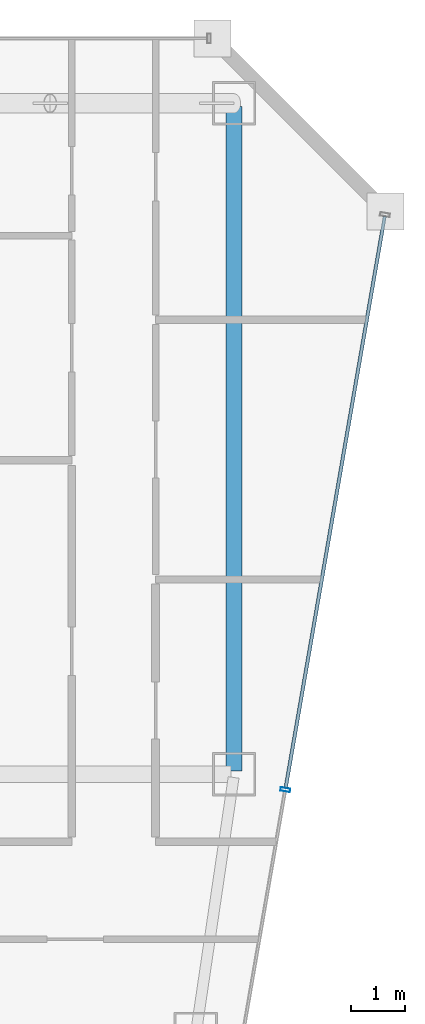
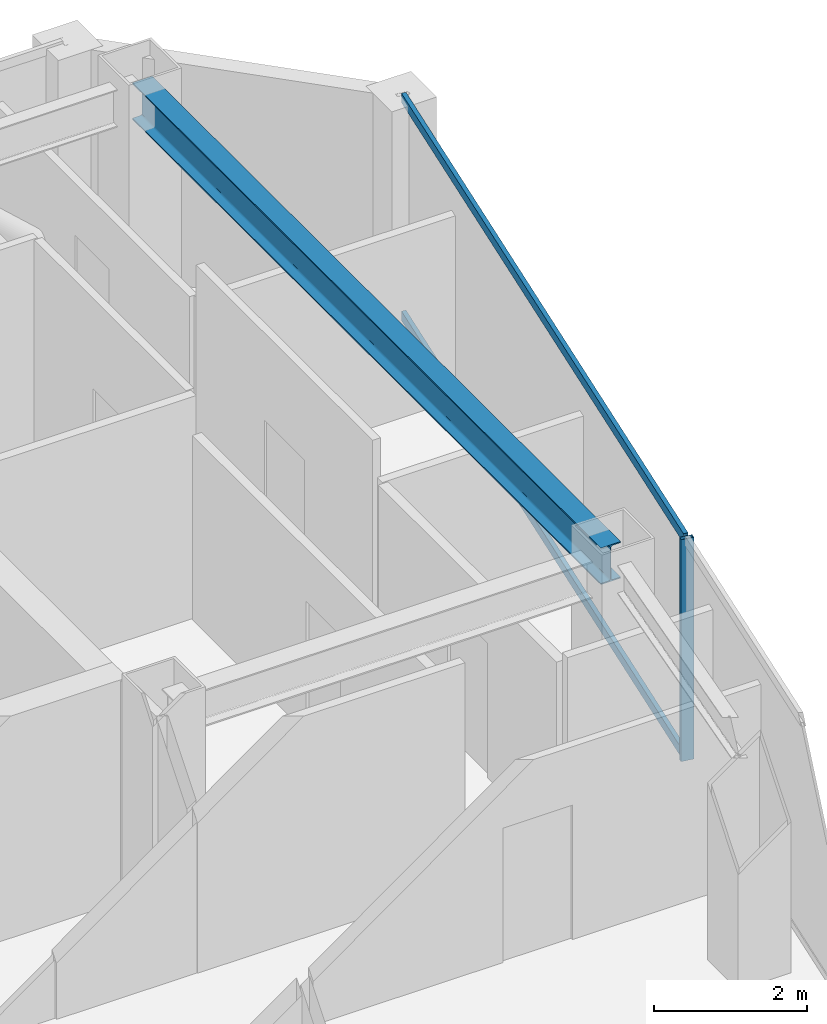
# One storey, part 18 of 32: 3 members, 1 beam, 1 element without a shape of its own.
"""IFC4 building model written with IfcOpenShell, lengths in metres."""

from ifc_helpers import new_model, si_unit, direction, frame, origin, origin_2d, place, context, subcontext, project, spatial, hollow_rectangle, i_section, extrude, material, material_profile, profile_set, type_object, element, aggregate, save


model = new_model("IFC4")

# Units and contexts
model_context = context("Model", 3, precision=1e-05, world=origin(), true_north=direction((0.0, 1.0)))
body_context = subcontext(model_context, "Body", "Model", "MODEL_VIEW")
ifc_project = project(units=[si_unit("LENGTHUNIT", "METRE"), si_unit("AREAUNIT", "SQUARE_METRE"), si_unit("VOLUMEUNIT", "CUBIC_METRE"), si_unit("PLANEANGLEUNIT", "RADIAN"), si_unit("MASSUNIT", "GRAM", prefix="KILO")], contexts=[model_context])

# Site, building, storey
site_placement = place(None, origin())
site = spatial("IfcSite", under=ifc_project, at=site_placement, CompositionType="ELEMENT")
building_placement = place(site_placement, origin())
building = spatial("IfcBuilding", under=site, at=building_placement, Name="Saevonmaru Cultural Tower", CompositionType="ELEMENT")
storey_placement = place(building_placement, frame((0.0, 0.0, 242.0)))
storey = spatial("IfcBuildingStorey", under=building, at=storey_placement, Name="L56", CompositionType="ELEMENT", Elevation=242.0)

# Beam
ifc_material_1 = material(Name="Steel SM355", Category="steel")
ifc_material_profile_1 = material_profile(ifc_material_1, i_section(OverallWidth=0.300048828125, OverallDepth=0.587890625, WebThickness=0.011962890625, FlangeThickness=0.02001953125, FilletRadius=0.02392578125, at=origin_2d()), Name="H-588x300x12x20")
ifc_profile_set_1 = profile_set([ifc_material_profile_1], Name="Steel SM355")
beam_type = type_object("IfcBeamType", Name="BM-G-H588", PredefinedType="BEAM", material=ifc_profile_set_1)
beam_placement = place(storey_placement, frame((53.199951171875, 54.739990234375, 3.256103515625), z_axis=(0.0, -1.0, 0.0), x_axis=(1.0, 0.0, 0.0)))
element("IfcBeam", 1, at=beam_placement, inside=storey, type_object=beam_type, Name="L56 Spine Transverse Girder E", PredefinedType="BEAM", context=body_context, shape_type="SweptSolid", body=[
    extrude(i_section(OverallWidth=0.300048828125, OverallDepth=0.587890625, WebThickness=0.011962890625, FlangeThickness=0.02001953125, FilletRadius=0.02392578125, at=origin_2d()), origin(), (0.0, 0.0, 1.0), 12.280029296875),
])

# Curtain wall, members
ifc_material_2 = material(Name="Satin Bronze Anodised Aluminium", Category="aluminium")
curtain_wall_type = type_object("IfcCurtainWallType", Name="CW-TYP-B", PredefinedType="NOTDEFINED", material=ifc_material_2)
curtain_wall_placement = place(storey_placement, origin())
curtain_wall = element("IfcCurtainWall", 2, at=curtain_wall_placement, inside=storey, type_object=curtain_wall_type, Name="L56 Unitised Curtain Wall E8", PredefinedType="NOTDEFINED")
ifc_material_profile_2 = material_profile(ifc_material_2, hollow_rectangle(XDim=0.06494140625, YDim=0.179931640625, WallThickness=0.00390625, at=origin_2d()), Name="ALU-MULL-180x65x4")
ifc_profile_set_2 = profile_set([ifc_material_profile_2], Name="Satin Bronze Anodised Aluminium")
member_type_1 = type_object("IfcMemberType", Name="ML-CW-180x65", PredefinedType="MULLION", material=ifc_profile_set_2)
member_1_placement = place(storey_placement, frame((54.147705078125, 42.113525390625, 0.0), z_axis=(0.0, 0.0, 1.0), x_axis=(0.170790369887, 0.985307388359, 0.0)))
member_1 = element("IfcMember", 3, at=member_1_placement, type_object=member_type_1, Name="CW-TW-L56-E8 mullion 3", PredefinedType="MULLION", context=body_context, shape_type="SweptSolid", body=[
    extrude(hollow_rectangle(XDim=0.06494140625, YDim=0.179931640625, WallThickness=0.00390625, at=origin_2d()), origin(), (0.0, 0.0, 1.0), 3.550048828125),
])
ifc_material_profile_3 = material_profile(ifc_material_2, hollow_rectangle(XDim=0.06494140625, YDim=0.14990234375, WallThickness=0.00390625, at=origin_2d()), Name="ALU-TRAN-150x65x4")
ifc_profile_set_3 = profile_set([ifc_material_profile_3], Name="Satin Bronze Anodised Aluminium")
member_type_2 = type_object("IfcMemberType", Name="TR-CW-150x65", PredefinedType="USERDEFINED", material=ifc_profile_set_3)
member_2_placement = place(storey_placement, frame((54.1533203125, 42.145751953125, 0.032470703125), z_axis=(0.170773163608, 0.985310370691, 0.0), x_axis=(-0.985310370691, 0.170773163608, 0.0)))
member_2 = element("IfcMember", 4, at=member_2_placement, type_object=member_type_2, Name="CW-TW-L56-E8 transom 3.1", ObjectType="TRANSOM", PredefinedType="USERDEFINED", context=body_context, shape_type="SweptSolid", body=[
    extrude(hollow_rectangle(XDim=0.06494140625, YDim=0.14990234375, WallThickness=0.00390625, at=origin_2d()), origin(), (0.0, 0.0, 1.0), 10.720703125),
])
member_3_placement = place(storey_placement, frame((54.1533203125, 42.145751953125, 3.517578125), z_axis=(0.170773163608, 0.985310370691, 0.0), x_axis=(-0.985310370691, 0.170773163608, 0.0)))
member_3 = element("IfcMember", 5, at=member_3_placement, type_object=member_type_2, Name="CW-TW-L56-E8 transom 3.2", ObjectType="TRANSOM", PredefinedType="USERDEFINED", context=body_context, shape_type="SweptSolid", body=[
    extrude(hollow_rectangle(XDim=0.06494140625, YDim=0.14990234375, WallThickness=0.00390625, at=origin_2d()), origin(), (0.0, 0.0, 1.0), 10.720703125),
])
aggregate(curtain_wall, [member_1, member_2, member_3])

save(model, "model.ifc")
